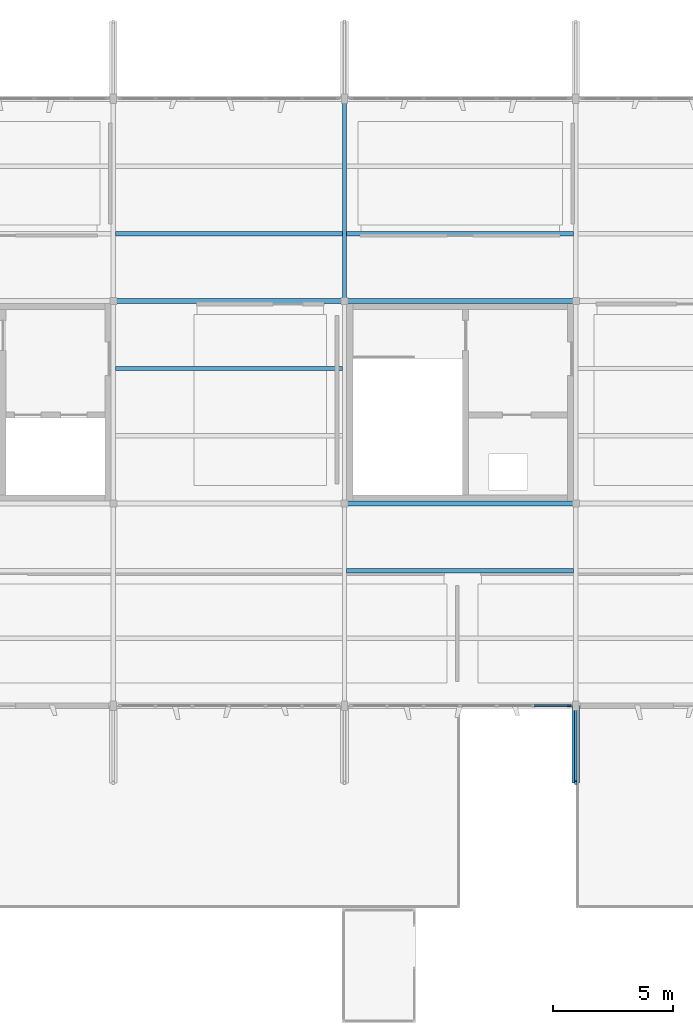
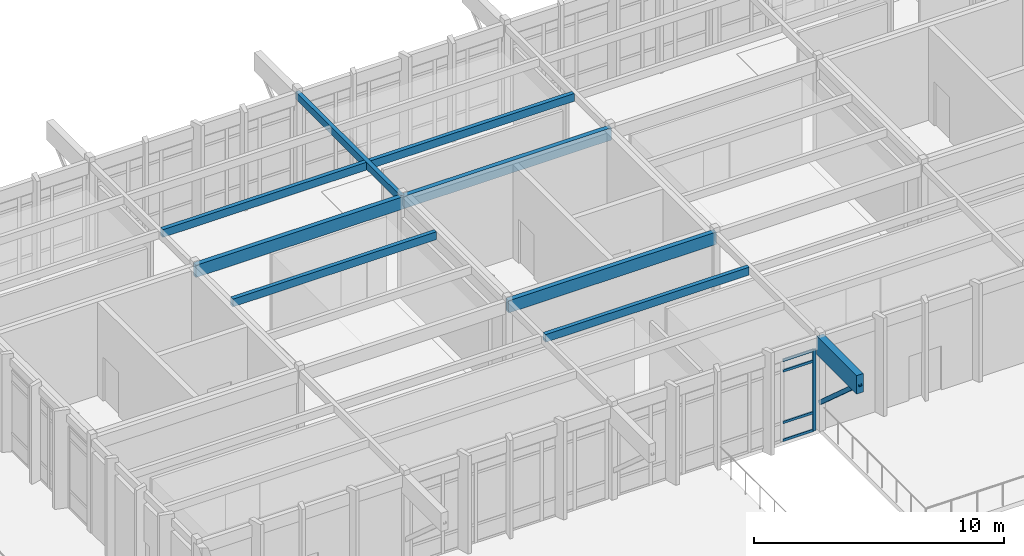
# One storey, part 5 of 19: 9 beams, 6 members, 1 element without a shape of its own.
"""IFC4 building model written with IfcOpenShell, lengths in metres."""

from ifc_helpers import new_model, si_unit, direction, frame, origin, origin_2d, place, context, subcontext, project, spatial, rectangle, hollow_rectangle, extrude, material, layer, layer_set, material_profile, profile_set, type_object, element, aggregate, save


model = new_model("IFC4")

# Units and contexts
model_context = context("Model", 3, precision=1e-05, world=origin(), true_north=direction((0.0, 1.0)))
body_context = subcontext(model_context, "Body", "Model", "MODEL_VIEW")
ifc_project = project(units=[si_unit("LENGTHUNIT", "METRE"), si_unit("AREAUNIT", "SQUARE_METRE"), si_unit("VOLUMEUNIT", "CUBIC_METRE"), si_unit("PLANEANGLEUNIT", "RADIAN"), si_unit("MASSUNIT", "GRAM", prefix="KILO")], contexts=[model_context])

# Site, building, storey
site_placement = place(None, origin())
site = spatial("IfcSite", under=ifc_project, at=site_placement, CompositionType="ELEMENT")
building_placement = place(site_placement, origin())
building = spatial("IfcBuilding", under=site, at=building_placement, Name="Kolvemor Railside Polytechnic", CompositionType="ELEMENT")
storey_placement = place(building_placement, frame((0.0, 0.0, 27.0)))
storey = spatial("IfcBuildingStorey", under=building, at=storey_placement, Name="L06", CompositionType="ELEMENT", Elevation=27.0)

# Beams
ifc_material_1 = material(Name="Glulam GL28h", Category="wood")
ifc_material_profile_1 = material_profile(ifc_material_1, rectangle(XDim=0.31494140625, YDim=0.89990234375, at=origin_2d()), Name="GL315x900")
ifc_profile_set_1 = profile_set([ifc_material_profile_1], Name="Glulam GL28h")
beam_type_1 = type_object("IfcBeamType", Name="BM-GL-CANT", PredefinedType="BEAM", material=ifc_profile_set_1)
beam_1_placement = place(storey_placement, frame((96.0, 10.0, 4.114990234375), z_axis=(0.0, 1.0, 0.0), x_axis=(-1.0, 0.0, 0.0)))
element("IfcBeam", 1, at=beam_1_placement, inside=storey, type_object=beam_type_1, Name="Cantilever Outrigger RF-GYC 1784", PredefinedType="BEAM", context=body_context, shape_type="SweptSolid", body=[
    extrude(rectangle(XDim=0.31494140625, YDim=0.89990234375, at=origin_2d()), origin(), (0.0, 0.0, 1.0), 3.199951171875),
])
ifc_material_2 = material(Name="Glulam GL28h", Category="wood")
ifc_material_profile_2 = material_profile(ifc_material_2, rectangle(XDim=0.215087890625, YDim=0.60009765625, at=origin_2d()), Name="GL215x600")
ifc_profile_set_2 = profile_set([ifc_material_profile_2], Name="Glulam GL28h")
beam_type_2 = type_object("IfcBeamType", Name="BM-GL-EAVE", PredefinedType="BEAM", material=ifc_profile_set_2)
beam_2_placement = place(storey_placement, frame((86.39990234375, 21.60009765625, 4.264892578125), z_axis=(1.0, 0.0, 0.0), x_axis=(0.0, 1.0, 0.0)))
element("IfcBeam", 2, at=beam_2_placement, inside=storey, type_object=beam_type_2, Name="Primary Girder RF-GX 1747", PredefinedType="BEAM", context=body_context, shape_type="SweptSolid", body=[
    extrude(rectangle(XDim=0.215087890625, YDim=0.60009765625, at=origin_2d()), origin(), (0.0, 0.0, 1.0), 9.60009765625),
])
beam_3_placement = place(storey_placement, frame((76.800048828125, 30.0, 4.264892578125), z_axis=(1.0, 0.0, 0.0), x_axis=(0.0, 1.0, 0.0)))
element("IfcBeam", 3, at=beam_3_placement, inside=storey, type_object=beam_type_2, Name="Primary Girder RF-GX 1751", PredefinedType="BEAM", context=body_context, shape_type="SweptSolid", body=[
    extrude(rectangle(XDim=0.215087890625, YDim=0.60009765625, at=origin_2d()), origin(), (0.0, 0.0, 1.0), 9.599853515625),
])
beam_4_placement = place(storey_placement, frame((86.39990234375, 30.0, 4.264892578125), z_axis=(1.0, 0.0, 0.0), x_axis=(0.0, 1.0, 0.0)))
element("IfcBeam", 4, at=beam_4_placement, inside=storey, type_object=beam_type_2, Name="Primary Girder RF-GX 1752", PredefinedType="BEAM", context=body_context, shape_type="SweptSolid", body=[
    extrude(rectangle(XDim=0.215087890625, YDim=0.60009765625, at=origin_2d()), origin(), (0.0, 0.0, 1.0), 9.60009765625),
])
ifc_material_3 = material(Name="Glulam GL28h", Category="wood")
ifc_material_profile_3 = material_profile(ifc_material_3, rectangle(XDim=0.18505859375, YDim=0.3798828125, at=origin_2d()), Name="GL185x380")
ifc_profile_set_3 = profile_set([ifc_material_profile_3], Name="Glulam GL28h")
beam_type_3 = type_object("IfcBeamType", Name="BM-GL-JST6", PredefinedType="JOIST", material=ifc_profile_set_3)
for number, where, z_axis, x_axis, name in (
    (5, (76.89208984375, 27.199951171875, 4.375), (1.0, 0.0, 0.0), (0.0, 1.0, 0.0), "Floor Joist RF-J1809"),
    (6, (76.89208984375, 32.800048828125, 4.375), (1.0, 0.0, 0.0), (0.0, 1.0, 0.0), "Floor Joist RF-J1810"),
    (7, (86.491943359375, 18.800048828125, 4.375), (1.0, 0.0, 0.0), (0.0, 1.0, 0.0), "Floor Joist RF-J1813"),
    (8, (86.491943359375, 32.800048828125, 4.375), (1.0, 0.0, 0.0), (0.0, 1.0, 0.0), "Floor Joist RF-J1814"),
):
    element("IfcBeam", number, at=place(storey_placement, frame(where, z_axis=z_axis, x_axis=x_axis)), inside=storey, type_object=beam_type_3, Name=name, PredefinedType="JOIST", context=body_context, shape_type="SweptSolid", body=[
        extrude(rectangle(XDim=0.18505859375, YDim=0.3798828125, at=origin_2d()), origin(), (0.0, 0.0, 1.0), 9.416015625),
    ])
ifc_material_4 = material(Name="Glulam GL28h", Category="wood")
ifc_material_profile_4 = material_profile(ifc_material_4, rectangle(XDim=0.18505859375, YDim=0.360107421875, at=origin_2d()), Name="GL185x360")
ifc_profile_set_4 = profile_set([ifc_material_profile_4], Name="Glulam GL28h")
beam_type_4 = type_object("IfcBeamType", Name="BM-GL-TRIM", PredefinedType="LINTEL", material=ifc_profile_set_4)
beam_5_placement = place(storey_placement, frame((86.39990234375, 30.0, 4.385009765625), z_axis=(0.0, 1.0, 0.0), x_axis=(-1.0, 0.0, 0.0)))
element("IfcBeam", 9, at=beam_5_placement, inside=storey, type_object=beam_type_4, Name="Primary Girder RF-GY 1776", PredefinedType="LINTEL", context=body_context, shape_type="SweptSolid", body=[
    extrude(rectangle(XDim=0.18505859375, YDim=0.360107421875, at=origin_2d()), origin(), (0.0, 0.0, 1.0), 8.39990234375),
])

# Curtain wall, members
ifc_material_5 = material(Name="Anodised marine aluminium and laminated low-E glass", Category="aluminium")
ifc_layer = layer(ifc_material_5, 0.179931640625, Name="CW-STICK-LIB")
ifc_layer_set = layer_set([ifc_layer], Name="Anodised marine aluminium and laminated low-E glass")
curtain_wall_type = type_object("IfcCurtainWallType", Name="CW-STICK-LIB", PredefinedType="USERDEFINED", material=ifc_layer_set)
curtain_wall_placement = place(storey_placement, origin())
curtain_wall = element("IfcCurtainWall", 10, at=curtain_wall_placement, inside=storey, type_object=curtain_wall_type, Name="Curtain Wall L06-144", ObjectType="STICK GLAZED SCREEN", PredefinedType="USERDEFINED")
ifc_material_6 = material(Name="Anodised marine aluminium 6063-T6", Category="aluminium")
ifc_material_profile_5 = material_profile(ifc_material_6, rectangle(XDim=0.06494140625, YDim=0.14990234375, at=origin_2d()), Name="CW-MUL-65x150")
ifc_profile_set_5 = profile_set([ifc_material_profile_5], Name="Anodised marine aluminium 6063-T6")
member_type_1 = type_object("IfcMemberType", Name="CWM-65x150", PredefinedType="MULLION", material=ifc_profile_set_5)
member_1_placement = place(storey_placement, frame((95.7275390625, 13.199951171875, 0.0), z_axis=(0.0, 0.0, 1.0), x_axis=(0.0, 1.0, 0.0)))
member_1 = element("IfcMember", 11, at=member_1_placement, type_object=member_type_1, Name="CW-LIB mullion 7", PredefinedType="MULLION", context=body_context, shape_type="SweptSolid", body=[
    extrude(rectangle(XDim=0.06494140625, YDim=0.14990234375, at=origin_2d()), origin(), (0.0, 0.0, 1.0), 3.965087890625),
])
ifc_material_7 = material(Name="Anodised marine aluminium 6063-T6", Category="aluminium")
ifc_material_profile_6 = material_profile(ifc_material_7, rectangle(XDim=0.06494140625, YDim=0.1201171875, at=origin_2d()), Name="CW-TRN-65x120")
ifc_profile_set_6 = profile_set([ifc_material_profile_6], Name="Anodised marine aluminium 6063-T6")
member_type_2 = type_object("IfcMemberType", Name="CWT-65x120", PredefinedType="USERDEFINED", material=ifc_profile_set_6)
member_2_placement = place(storey_placement, frame((94.2724609375, 13.199951171875, 0.032470703125), z_axis=(1.0, 0.0, 0.0), x_axis=(0.0, 1.0, 0.0)))
member_2 = element("IfcMember", 12, at=member_2_placement, type_object=member_type_2, Name="CW-LIB transom 6.1", ObjectType="TRANSOM", PredefinedType="USERDEFINED", context=body_context, shape_type="SweptSolid", body=[
    extrude(rectangle(XDim=0.06494140625, YDim=0.1201171875, at=origin_2d()), origin(), (0.0, 0.0, 1.0), 1.422607421875),
])
member_3_placement = place(storey_placement, frame((94.2724609375, 13.199951171875, 0.89990234375), z_axis=(1.0, 0.0, 0.0), x_axis=(0.0, 1.0, 0.0)))
member_3 = element("IfcMember", 13, at=member_3_placement, type_object=member_type_2, Name="CW-LIB transom 6.2", ObjectType="TRANSOM", PredefinedType="USERDEFINED", context=body_context, shape_type="SweptSolid", body=[
    extrude(rectangle(XDim=0.06494140625, YDim=0.1201171875, at=origin_2d()), origin(), (0.0, 0.0, 1.0), 1.422607421875),
])
member_4_placement = place(storey_placement, frame((94.2724609375, 13.199951171875, 3.4150390625), z_axis=(1.0, 0.0, 0.0), x_axis=(0.0, 1.0, 0.0)))
member_4 = element("IfcMember", 14, at=member_4_placement, type_object=member_type_2, Name="CW-LIB transom 6.3", ObjectType="TRANSOM", PredefinedType="USERDEFINED", context=body_context, shape_type="SweptSolid", body=[
    extrude(rectangle(XDim=0.06494140625, YDim=0.1201171875, at=origin_2d()), origin(), (0.0, 0.0, 1.0), 1.422607421875),
])
member_5_placement = place(storey_placement, frame((94.2724609375, 13.199951171875, 3.9326171875), z_axis=(1.0, 0.0, 0.0), x_axis=(0.0, 1.0, 0.0)))
member_5 = element("IfcMember", 15, at=member_5_placement, type_object=member_type_2, Name="CW-LIB transom 6.4", ObjectType="TRANSOM", PredefinedType="USERDEFINED", context=body_context, shape_type="SweptSolid", body=[
    extrude(rectangle(XDim=0.06494140625, YDim=0.1201171875, at=origin_2d()), origin(), (0.0, 0.0, 1.0), 1.422607421875),
])
aggregate(curtain_wall, [member_1, member_2, member_3, member_4, member_5])

# Member
ifc_material_8 = material(Name="Steel S355", Category="steel")
ifc_material_profile_7 = material_profile(ifc_material_8, hollow_rectangle(XDim=0.1201171875, YDim=0.199951171875, WallThickness=0.008056640625, InnerFilletRadius=0.008056640625, OuterFilletRadius=0.01611328125, at=origin_2d()), Name="HSS200x120x8")
ifc_profile_set_7 = profile_set([ifc_material_profile_7], Name="Steel S355")
member_type_3 = type_object("IfcMemberType", Name="MEM-BR-HSS2", PredefinedType="BRACE", material=ifc_profile_set_7)
member_6_placement = place(storey_placement, frame((96.0, 13.199951171875, 1.264892578125), z_axis=(0.0, -0.746748845489, 0.665106128194), x_axis=(1.0, 0.0, 0.0)))
element("IfcMember", 16, at=member_6_placement, inside=storey, type_object=member_type_3, Name="Overhang Knee Strut RF-KS1785", PredefinedType="BRACE", context=body_context, shape_type="SweptSolid", body=[
    extrude(hollow_rectangle(XDim=0.1201171875, YDim=0.199951171875, WallThickness=0.008056640625, InnerFilletRadius=0.008056640625, OuterFilletRadius=0.01611328125, at=origin_2d()), origin(), (0.0, 0.0, 1.0), 4.28515625),
])

save(model, "model.ifc")
